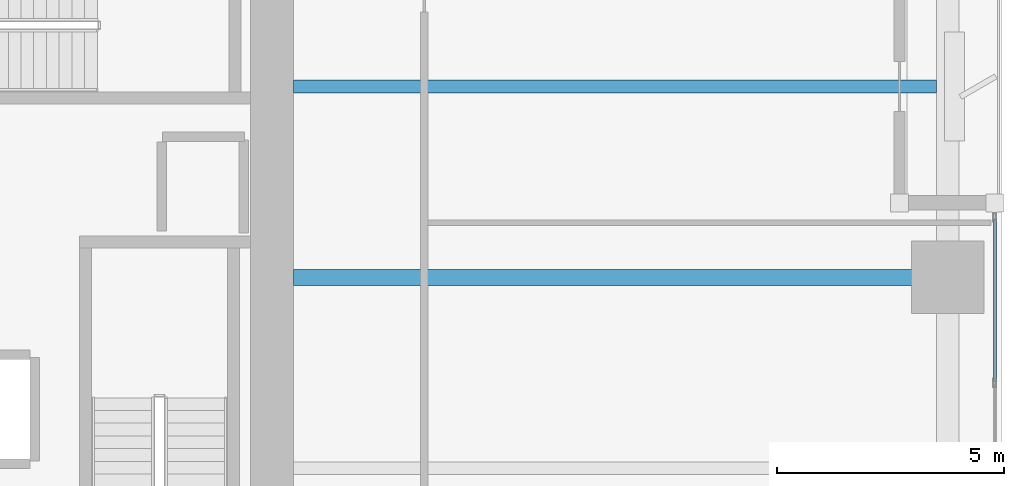
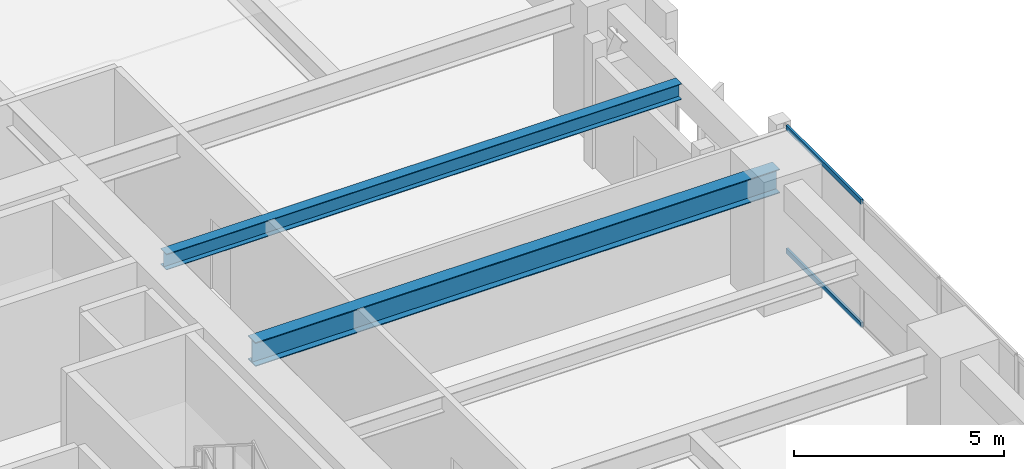
# One storey, part 9 of 28: 2 beams, 2 members, 1 element without a shape of its own.
"""IFC4 building model written with IfcOpenShell, lengths in metres."""

from ifc_helpers import new_model, si_unit, direction, frame, origin, origin_2d, place, context, subcontext, project, spatial, hollow_rectangle, i_section, extrude, material, layer, layer_set, material_profile, profile_set, type_object, element, aggregate, save


model = new_model("IFC4")

# Units and contexts
model_context = context("Model", 3, precision=1e-05, world=origin(), true_north=direction((0.0, 1.0)))
body_context = subcontext(model_context, "Body", "Model", "MODEL_VIEW")
ifc_project = project(units=[si_unit("LENGTHUNIT", "METRE"), si_unit("AREAUNIT", "SQUARE_METRE"), si_unit("VOLUMEUNIT", "CUBIC_METRE"), si_unit("PLANEANGLEUNIT", "RADIAN"), si_unit("MASSUNIT", "GRAM", prefix="KILO")], contexts=[model_context])

# Site, building, storey
site_placement = place(None, origin())
site = spatial("IfcSite", under=ifc_project, at=site_placement, CompositionType="ELEMENT")
building_placement = place(site_placement, origin())
building = spatial("IfcBuilding", under=site, at=building_placement, Name="Kiyonajd Concourse Tower", CompositionType="ELEMENT")
storey_placement = place(building_placement, frame((0.0, 0.0, 56.699951171875)))
storey = spatial("IfcBuildingStorey", under=building, at=storey_placement, Name="L15", CompositionType="ELEMENT", Elevation=56.699951171875)

# Beams
ifc_material_1 = material(Name="Steel ASTM A992 Grade 50", Category="steel")
ifc_material_profile_1 = material_profile(ifc_material_1, i_section(OverallWidth=0.280029296875, OverallDepth=0.462890625, WebThickness=0.0107421875, FlangeThickness=0.017333984375, at=origin_2d()), Name="W460X113")
ifc_profile_set_1 = profile_set([ifc_material_profile_1], Name="Steel ASTM A992 Grade 50")
beam_type_1 = type_object("IfcBeamType", Name="BM-JST-460A", PredefinedType="JOIST", material=ifc_profile_set_1)
beam_1_placement = place(storey_placement, frame((63.60009765625, 40.199951171875, 3.408447265625), z_axis=(1.0, 0.0, 0.0), x_axis=(0.0, 1.0, 0.0)))
element("IfcBeam", 1, at=beam_1_placement, inside=storey, type_object=beam_type_1, Name="L15 East Secondary Floor Joist", PredefinedType="JOIST", context=body_context, shape_type="SweptSolid", body=[
    extrude(i_section(OverallWidth=0.280029296875, OverallDepth=0.462890625, WebThickness=0.0107421875, FlangeThickness=0.017333984375, at=origin_2d()), origin(), (0.0, 0.0, 1.0), 14.14990234375),
])
ifc_material_profile_2 = material_profile(ifc_material_1, i_section(OverallWidth=0.35498046875, OverallDepth=0.695068359375, WebThickness=0.015380859375, FlangeThickness=0.02490234375, at=origin_2d()), Name="W690X217")
ifc_profile_set_2 = profile_set([ifc_material_profile_2], Name="Steel ASTM A992 Grade 50")
beam_type_2 = type_object("IfcBeamType", Name="BM-TWR-690", PredefinedType="BEAM", material=ifc_profile_set_2)
beam_2_placement = place(storey_placement, frame((63.60009765625, 36.0, 3.29248046875), z_axis=(1.0, 0.0, 0.0), x_axis=(0.0, 1.0, 0.0)))
element("IfcBeam", 2, at=beam_2_placement, inside=storey, type_object=beam_type_2, Name="L15 East Lease Girder", PredefinedType="BEAM", context=body_context, shape_type="SweptSolid", body=[
    extrude(i_section(OverallWidth=0.35498046875, OverallDepth=0.695068359375, WebThickness=0.015380859375, FlangeThickness=0.02490234375, at=origin_2d()), origin(), (0.0, 0.0, 1.0), 14.39990234375),
])

# Curtain wall, members
ifc_material_2 = material(Name="Thermally Broken Anodised Aluminium", Category="aluminium")
ifc_layer = layer(ifc_material_2, 0.179931640625)
ifc_layer_set = layer_set([ifc_layer], Name="Thermally Broken Anodised Aluminium")
curtain_wall_type = type_object("IfcCurtainWallType", Name="CW-SYS-02", PredefinedType="NOTDEFINED", material=ifc_layer_set)
curtain_wall_placement = place(storey_placement, origin())
curtain_wall = element("IfcCurtainWall", 3, at=curtain_wall_placement, inside=storey, type_object=curtain_wall_type, Name="L15 Unitised Curtain Wall CW2", PredefinedType="NOTDEFINED")
ifc_material_profile_3 = material_profile(ifc_material_2, hollow_rectangle(XDim=0.06494140625, YDim=0.139892578125, WallThickness=0.00390625, at=origin_2d()), Name="TRAN-65x140")
ifc_profile_set_3 = profile_set([ifc_material_profile_3], Name="Thermally Broken Anodised Aluminium")
member_type = type_object("IfcMemberType", Name="MB-CW-TRAN1", PredefinedType="USERDEFINED", material=ifc_profile_set_3)
member_1_placement = place(storey_placement, frame((79.0400390625, 37.284912109375, 0.032470703125), z_axis=(0.0, -1.0, 0.0), x_axis=(1.0, 0.0, 0.0)))
member_1 = element("IfcMember", 4, at=member_1_placement, type_object=member_type, Name="CW2 transom 1.1", ObjectType="TRANSOM", PredefinedType="USERDEFINED", context=body_context, shape_type="SweptSolid", body=[
    extrude(hollow_rectangle(XDim=0.06494140625, YDim=0.139892578125, WallThickness=0.00390625, at=origin_2d()), origin(), (0.0, 0.0, 1.0), 3.57568359375),
])
member_2_placement = place(storey_placement, frame((79.0400390625, 37.284912109375, 3.607666015625), z_axis=(0.0, -1.0, 0.0), x_axis=(1.0, 0.0, 0.0)))
member_2 = element("IfcMember", 5, at=member_2_placement, type_object=member_type, Name="CW2 transom 1.2", ObjectType="TRANSOM", PredefinedType="USERDEFINED", context=body_context, shape_type="SweptSolid", body=[
    extrude(hollow_rectangle(XDim=0.06494140625, YDim=0.139892578125, WallThickness=0.00390625, at=origin_2d()), origin(), (0.0, 0.0, 1.0), 3.57568359375),
])
aggregate(curtain_wall, [member_1, member_2])

save(model, "model.ifc")
